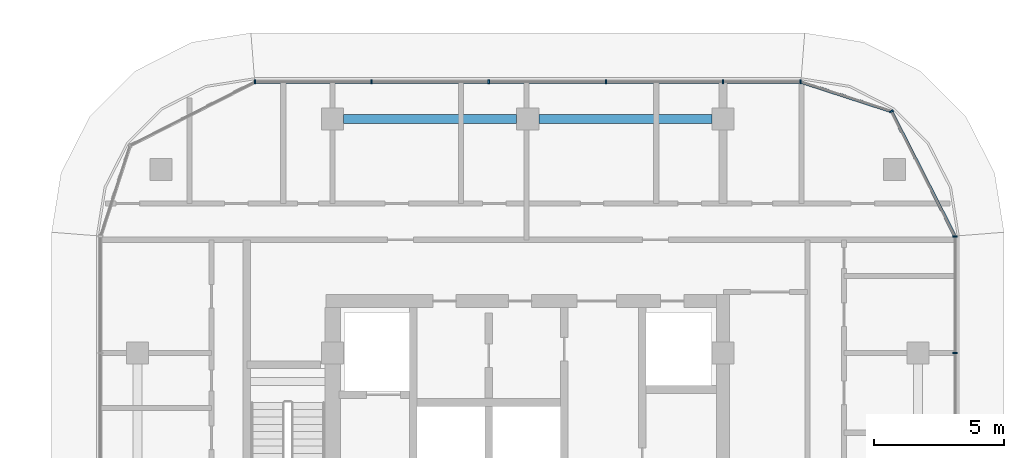
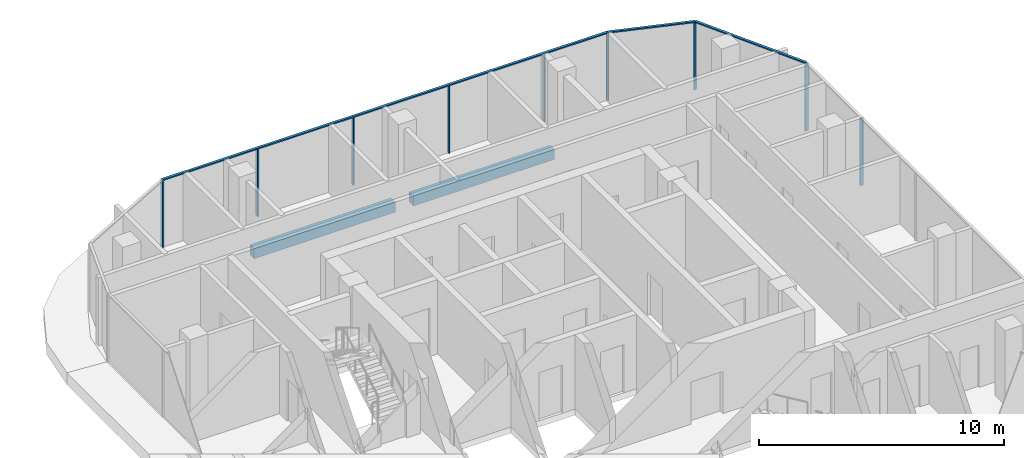
# One storey, part 13 of 36: 12 members, 2 beams, 3 elements without a shape of their own.
"""IFC4 building model written with IfcOpenShell, lengths in metres."""

from ifc_helpers import new_model, si_unit, direction, frame, origin, origin_2d, place, context, subcontext, project, spatial, rectangle, extrude, material, material_profile, profile_set, type_object, element, aggregate, save


model = new_model("IFC4")

# Units and contexts
model_context = context("Model", 3, precision=1e-05, world=origin(), true_north=direction((0.0, 1.0)))
body_context = subcontext(model_context, "Body", "Model", "MODEL_VIEW")
ifc_project = project(units=[si_unit("LENGTHUNIT", "METRE"), si_unit("AREAUNIT", "SQUARE_METRE"), si_unit("VOLUMEUNIT", "CUBIC_METRE"), si_unit("PLANEANGLEUNIT", "RADIAN"), si_unit("MASSUNIT", "GRAM", prefix="KILO")], contexts=[model_context])

# Site, building, storey
site_placement = place(None, origin())
site = spatial("IfcSite", under=ifc_project, at=site_placement, CompositionType="ELEMENT")
building_placement = place(site_placement, origin())
building = spatial("IfcBuilding", under=site, at=building_placement, Name="Ogive Portal Towers", CompositionType="ELEMENT")
storey_placement = place(building_placement, frame((0.0, 0.0, 70.5)))
storey = spatial("IfcBuildingStorey", under=building, at=storey_placement, Name="L16", CompositionType="ELEMENT", Elevation=70.5)

# Curtain wall, members
ifc_material_1 = material(Name="Glass, clear low-iron insulated glazing", Category="glass")
curtain_wall_type = type_object("IfcCurtainWallType", Name="CW RESIDENCES RIBBON", PredefinedType="NOTDEFINED", material=ifc_material_1)
curtain_wall_1_placement = place(storey_placement, origin())
curtain_wall_1 = element("IfcCurtainWall", 1, at=curtain_wall_1_placement, inside=storey, type_object=curtain_wall_type, Name="B:L16:f05:cw0", PredefinedType="NOTDEFINED")
ifc_material_2 = material(Name="Aluminium 6063 anodised", Category="aluminium")
ifc_material_profile_1 = material_profile(ifc_material_2, rectangle(XDim=0.159912109375, YDim=0.06005859375, at=origin_2d()), Name="AL 60x160")
ifc_profile_set_1 = profile_set([ifc_material_profile_1], Name="Aluminium 6063 anodised")
member_type_1 = type_object("IfcMemberType", Name="CW MULLION 60x160", PredefinedType="MULLION", material=ifc_profile_set_1)
member_1_placement = place(storey_placement, frame((152.919921875, 35.5, 0.0), z_axis=(0.0, 0.0, 1.0), x_axis=(-1.0, 0.0, 0.0)))
member_1 = element("IfcMember", 2, at=member_1_placement, type_object=member_type_1, Name="mullion", PredefinedType="MULLION", context=body_context, shape_type="SweptSolid", body=[
    extrude(rectangle(XDim=0.159912109375, YDim=0.06005859375, at=origin_2d()), origin(), (0.0, 0.0, 1.0), 3.340087890625),
])
member_2_placement = place(storey_placement, frame((152.919921875, 39.980712890625, 0.0), z_axis=(0.0, 0.0, 1.0), x_axis=(-1.0, 0.0, 0.0)))
member_2 = element("IfcMember", 3, at=member_2_placement, type_object=member_type_1, Name="mullion", PredefinedType="MULLION", context=body_context, shape_type="SweptSolid", body=[
    extrude(rectangle(XDim=0.159912109375, YDim=0.06005859375, at=origin_2d()), origin(), (0.0, 0.0, 1.0), 3.340087890625),
])
aggregate(curtain_wall_1, [member_1, member_2])

curtain_wall_2_placement = place(storey_placement, origin())
curtain_wall_2 = element("IfcCurtainWall", 4, at=curtain_wall_2_placement, inside=storey, type_object=curtain_wall_type, Name="B:L16:f08:cw0", PredefinedType="NOTDEFINED")
member_3_placement = place(storey_placement, frame((146.9873046875, 45.919921875, 0.0), z_axis=(0.0, 0.0, 1.0), x_axis=(0.0, -1.0, 0.0)))
member_3 = element("IfcMember", 5, at=member_3_placement, type_object=member_type_1, Name="mullion", PredefinedType="MULLION", context=body_context, shape_type="SweptSolid", body=[
    extrude(rectangle(XDim=0.159912109375, YDim=0.06005859375, at=origin_2d()), origin(), (0.0, 0.0, 1.0), 3.340087890625),
])
member_4_placement = place(storey_placement, frame((144.0, 45.919921875, 0.0), z_axis=(0.0, 0.0, 1.0), x_axis=(0.0, -1.0, 0.0)))
member_4 = element("IfcMember", 6, at=member_4_placement, type_object=member_type_1, Name="mullion", PredefinedType="MULLION", context=body_context, shape_type="SweptSolid", body=[
    extrude(rectangle(XDim=0.159912109375, YDim=0.06005859375, at=origin_2d()), origin(), (0.0, 0.0, 1.0), 3.340087890625),
])
member_5_placement = place(storey_placement, frame((139.5, 45.919921875, 0.0), z_axis=(0.0, 0.0, 1.0), x_axis=(0.0, -1.0, 0.0)))
member_5 = element("IfcMember", 7, at=member_5_placement, type_object=member_type_1, Name="mullion", PredefinedType="MULLION", context=body_context, shape_type="SweptSolid", body=[
    extrude(rectangle(XDim=0.159912109375, YDim=0.06005859375, at=origin_2d()), origin(), (0.0, 0.0, 1.0), 3.340087890625),
])
member_6_placement = place(storey_placement, frame((135.0, 45.919921875, 0.0), z_axis=(0.0, 0.0, 1.0), x_axis=(0.0, -1.0, 0.0)))
member_6 = element("IfcMember", 8, at=member_6_placement, type_object=member_type_1, Name="mullion", PredefinedType="MULLION", context=body_context, shape_type="SweptSolid", body=[
    extrude(rectangle(XDim=0.159912109375, YDim=0.06005859375, at=origin_2d()), origin(), (0.0, 0.0, 1.0), 3.340087890625),
])
member_7_placement = place(storey_placement, frame((130.5, 45.919921875, 0.0), z_axis=(0.0, 0.0, 1.0), x_axis=(0.0, -1.0, 0.0)))
member_7 = element("IfcMember", 9, at=member_7_placement, type_object=member_type_1, Name="mullion", PredefinedType="MULLION", context=body_context, shape_type="SweptSolid", body=[
    extrude(rectangle(XDim=0.159912109375, YDim=0.06005859375, at=origin_2d()), origin(), (0.0, 0.0, 1.0), 3.340087890625),
])
member_8_placement = place(storey_placement, frame((126.019287109375, 45.919921875, 0.0), z_axis=(0.0, 0.0, 1.0), x_axis=(0.0, -1.0, 0.0)))
member_8 = element("IfcMember", 10, at=member_8_placement, type_object=member_type_1, Name="mullion", PredefinedType="MULLION", context=body_context, shape_type="SweptSolid", body=[
    extrude(rectangle(XDim=0.159912109375, YDim=0.06005859375, at=origin_2d()), origin(), (0.0, 0.0, 1.0), 3.340087890625),
])

# Curtain wall, member
curtain_wall_3_placement = place(storey_placement, origin())
curtain_wall_3 = element("IfcCurtainWall", 11, at=curtain_wall_3_placement, inside=storey, type_object=curtain_wall_type, Name="B:L16:f06:cwa", PredefinedType="NOTDEFINED")
member_9_placement = place(storey_placement, frame((150.470458984375, 44.788330078125, 0.0), z_axis=(0.0, 0.0, 1.0), x_axis=(-0.891006524188, -0.45399049974, 0.0)))
member_9 = element("IfcMember", 12, at=member_9_placement, type_object=member_type_1, Name="mullion", PredefinedType="MULLION", context=body_context, shape_type="SweptSolid", body=[
    extrude(rectangle(XDim=0.159912109375, YDim=0.06005859375, at=origin_2d()), origin(), (0.0, 0.0, 1.0), 3.340087890625),
])

# Member
ifc_material_profile_2 = material_profile(ifc_material_2, rectangle(XDim=0.1201171875, YDim=0.06005859375, at=origin_2d()), Name="AL 120x60")
ifc_profile_set_2 = profile_set([ifc_material_profile_2], Name="Aluminium 6063 anodised")
member_type_2 = type_object("IfcMemberType", Name="CW TRANSOM 60x120", PredefinedType="USERDEFINED", material=ifc_profile_set_2)
member_10_placement = place(storey_placement, frame((146.9873046875, 45.919921875, 3.3701171875), z_axis=(-1.0, 0.0, 0.0), x_axis=(0.0, -1.0, 0.0)))
member_10 = element("IfcMember", 13, at=member_10_placement, type_object=member_type_2, Name="transom", ObjectType="TRANSOM", PredefinedType="USERDEFINED", context=body_context, shape_type="SweptSolid", body=[
    extrude(rectangle(XDim=0.1201171875, YDim=0.06005859375, at=origin_2d()), origin(), (0.0, 0.0, 1.0), 20.968017578125),
])

aggregate(curtain_wall_2, [member_10, member_3, member_4, member_5, member_6, member_7, member_8])

member_11_placement = place(storey_placement, frame((152.919921875, 39.980712890625, 3.3701171875), z_axis=(-0.453969839149, 0.891017050983, 0.0), x_axis=(-0.891017050983, -0.453969839149, 0.0)))
member_11 = element("IfcMember", 14, at=member_11_placement, type_object=member_type_2, Name="transom", ObjectType="TRANSOM", PredefinedType="USERDEFINED", context=body_context, shape_type="SweptSolid", body=[
    extrude(rectangle(XDim=0.1201171875, YDim=0.06005859375, at=origin_2d()), origin(), (0.0, 0.0, 1.0), 5.395751953125),
])

member_12_placement = place(storey_placement, frame((150.470458984375, 44.788330078125, 3.3701171875), z_axis=(-0.951068844598, 0.308979049184, 0.0), x_axis=(-0.308979049184, -0.951068844598, 0.0)))
member_12 = element("IfcMember", 15, at=member_12_placement, type_object=member_type_2, Name="transom", ObjectType="TRANSOM", PredefinedType="USERDEFINED", context=body_context, shape_type="SweptSolid", body=[
    extrude(rectangle(XDim=0.1201171875, YDim=0.06005859375, at=origin_2d()), origin(), (0.0, 0.0, 1.0), 3.662353515625),
])

aggregate(curtain_wall_3, [member_11, member_12, member_9])

# Beams
ifc_material_3 = material(Name="Concrete C50/60", Category="concrete")
ifc_material_profile_3 = material_profile(ifc_material_3, rectangle(XDim=0.35009765625, YDim=0.5, at=origin_2d()), Name="RC 350x500")
ifc_profile_set_3 = profile_set([ifc_material_profile_3], Name="Concrete C50/60")
beam_type = type_object("IfcBeamType", Name="SPANDREL BEAM RC 350x500", PredefinedType="BEAM", material=ifc_profile_set_3)
for number, where, z_axis, x_axis, name in (
    (16, (143.574951171875, 44.5, -0.550048828125), (-1.0, 0.0, 0.0), (0.0, -1.0, 0.0), "Spandrel beam L16"),
    (17, (136.074951171875, 44.5, -0.550048828125), (-1.0, 0.0, 0.0), (0.0, -1.0, 0.0), "Spandrel beam L16"),
):
    element("IfcBeam", number, at=place(storey_placement, frame(where, z_axis=z_axis, x_axis=x_axis)), inside=storey, type_object=beam_type, Name=name, PredefinedType="BEAM", context=body_context, shape_type="SweptSolid", body=[
        extrude(rectangle(XDim=0.35009765625, YDim=0.5, at=origin_2d()), origin(), (0.0, 0.0, 1.0), 6.64990234375),
    ])

save(model, "model.ifc")
